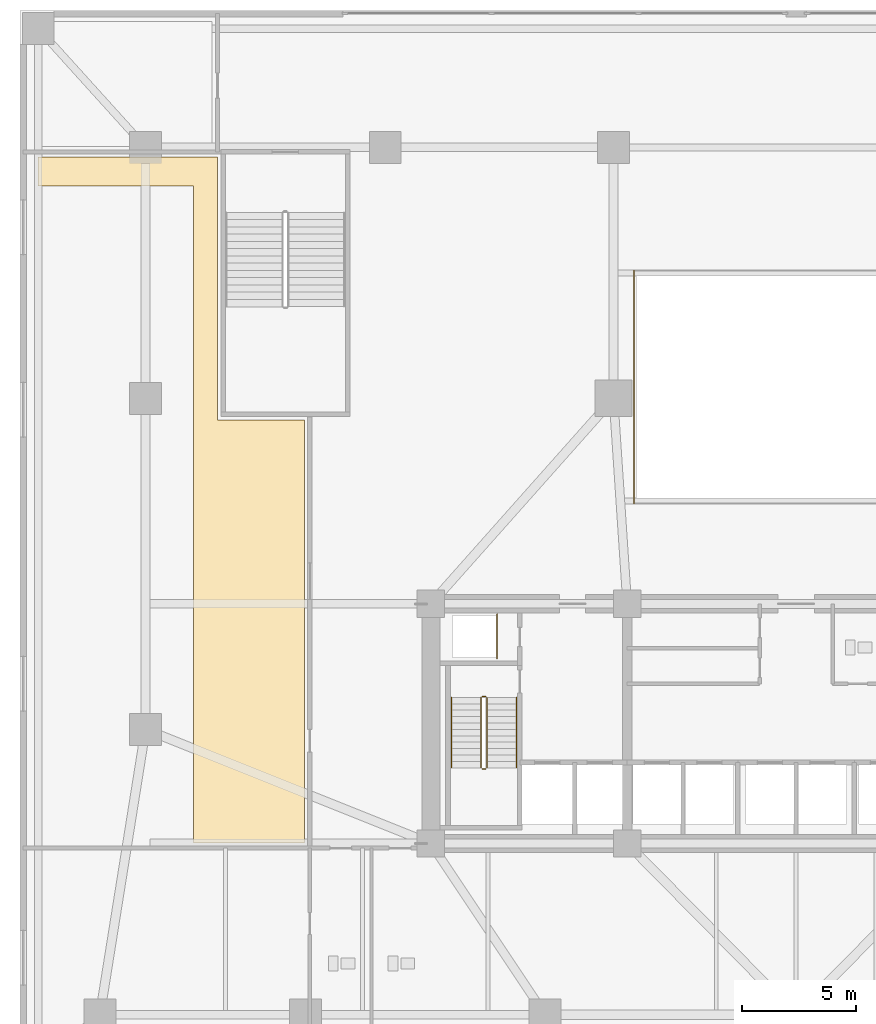
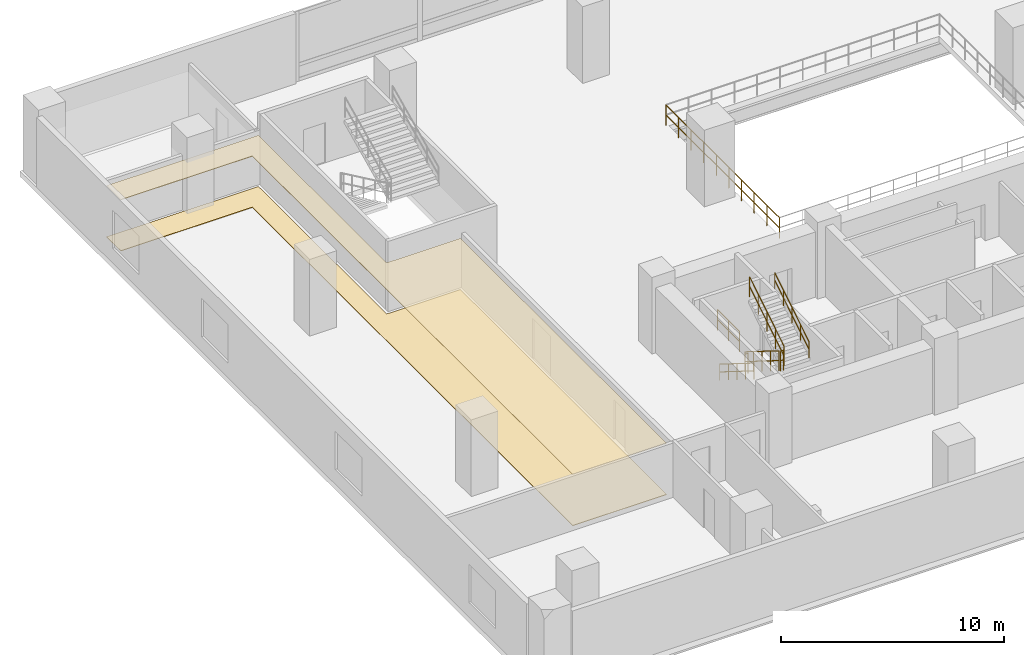
# One storey, part 10 of 15: 8 railings, 2 coverings.
"""IFC4 building model written with IfcOpenShell, lengths in metres."""

from ifc_helpers import new_model, si_unit, direction, frame, origin, origin_2d, place, context, subcontext, project, spatial, polyline, circle, outline, extrude, material, layer, layer_set, type_object, element, save


model = new_model("IFC4")

# Units and contexts
model_context = context("Model", 3, precision=1e-05, world=origin(), true_north=direction((0.0, 1.0)))
body_context = subcontext(model_context, "Body", "Model", "MODEL_VIEW")
ifc_project = project(units=[si_unit("LENGTHUNIT", "METRE"), si_unit("AREAUNIT", "SQUARE_METRE"), si_unit("VOLUMEUNIT", "CUBIC_METRE"), si_unit("PLANEANGLEUNIT", "RADIAN"), si_unit("MASSUNIT", "GRAM", prefix="KILO")], contexts=[model_context])

# Site, building, storey
site_placement = place(None, origin())
site = spatial("IfcSite", under=ifc_project, at=site_placement, CompositionType="ELEMENT")
building_placement = place(site_placement, origin())
building = spatial("IfcBuilding", under=site, at=building_placement, Name="Solmavex Isthmus Hotel", CompositionType="ELEMENT")
storey_placement = place(building_placement, frame((0.0, 0.0, 16.199951171875)))
storey = spatial("IfcBuildingStorey", under=building, at=storey_placement, Name="L04", CompositionType="ELEMENT", Elevation=16.199951171875)

# Coverings
ifc_material_1 = material(Name="Gypsum plasterboard lining", Category="gypsum")
ifc_layer_1 = layer(ifc_material_1, 0.030029296875)
ifc_layer_set_1 = layer_set([ifc_layer_1], Name="Gypsum plasterboard lining")
covering_type_1 = type_object("IfcCoveringType", Name="COV-CEIL-GYP", PredefinedType="CEILING", material=ifc_layer_set_1)
covering_1_placement = place(storey_placement, frame((0.0, 0.0, 2.800048828125)))
element("IfcCovering", 1, at=covering_1_placement, inside=storey, type_object=covering_type_1, Name="Suspended Acoustic Ceiling L04-CF01", PredefinedType="CEILING", context=body_context, shape_type="SweptSolid", body=[
    extrude(outline(polyline([(-21.530029296875, 5.550048828125), (-25.35009765625, 5.550048828125), (-25.35009765625, 17.070068359375), (-33.219970703125, 17.070068359375), (-33.219970703125, 15.800048828125), (-26.39990234375, 15.800048828125), (-26.39990234375, -12.969970703125), (-21.530029296875, -12.969970703125), (-21.530029296875, 5.550048828125)])), origin(), (0.0, 0.0, 1.0), 0.030029296875),
])
ifc_material_2 = material(Name="Travertine natural stone", Category="masonry")
ifc_layer_2 = layer(ifc_material_2, 0.02490234375)
ifc_layer_set_2 = layer_set([ifc_layer_2], Name="Travertine natural stone")
covering_type_2 = type_object("IfcCoveringType", Name="COV-FLOR-STN", PredefinedType="FLOORING", material=ifc_layer_set_2)
covering_2_placement = place(storey_placement, origin())
element("IfcCovering", 2, at=covering_2_placement, inside=storey, type_object=covering_type_2, Name="Stone and Timber Floor Finish L04-CF01", PredefinedType="FLOORING", context=body_context, shape_type="SweptSolid", body=[
    extrude(outline(polyline([(-21.530029296875, 5.550048828125), (-25.35009765625, 5.550048828125), (-25.35009765625, 17.070068359375), (-33.219970703125, 17.070068359375), (-33.219970703125, 15.800048828125), (-26.39990234375, 15.800048828125), (-26.39990234375, -12.969970703125), (-21.530029296875, -12.969970703125), (-21.530029296875, 5.550048828125)])), origin(), (0.0, 0.0, 1.0), 0.025146484375),
])

# Railings
ifc_material_3 = material(Name="Clear low-E laminated glass", Category="glass")
ifc_layer_3 = layer(ifc_material_3, 0.080078125)
ifc_layer_set_3 = layer_set([ifc_layer_3], Name="Clear low-E laminated glass")
railing_type_1 = type_object("IfcRailingType", Name="RAIL-ATRIUM-1120", PredefinedType="BALUSTRADE", material=ifc_layer_set_3)
railing_1_placement = place(storey_placement, frame((-7.10009765625, 12.10009765625, 0.0)))
element("IfcRailing", 3, at=railing_1_placement, inside=storey, type_object=railing_type_1, Name="Guardrail Balustrade L04-ATRIUM-04", PredefinedType="BALUSTRADE", context=body_context, shape_type="SweptSolid", body=[
    extrude(circle(Radius=0.02392578125, at=origin_2d()), frame((0.0, 0.0, 1.1259765625), z_axis=(0.0, -1.0, 0.0), x_axis=(1.0, 0.0, 0.0)), (0.0, 0.0, 1.0), 10.2001953125),
    extrude(circle(Radius=0.02392578125, at=origin_2d()), frame((0.0, 0.0, 0.574951171875), z_axis=(0.0, -1.0, 0.0), x_axis=(1.0, 0.0, 0.0)), (0.0, 0.0, 1.0), 10.2001953125),
    extrude(circle(Radius=0.02099609375, at=origin_2d()), origin(), (0.0, 0.0, 1.0), 1.101806640625),
    extrude(circle(Radius=0.02099609375, at=origin_2d()), frame((0.0, -1.13330078125, 0.0)), (0.0, 0.0, 1.0), 1.101806640625),
    extrude(circle(Radius=0.02099609375, at=origin_2d()), frame((0.0, -2.2666015625, 0.0)), (0.0, 0.0, 1.0), 1.101806640625),
    extrude(circle(Radius=0.02099609375, at=origin_2d()), frame((0.0, -3.400146484375, 0.0)), (0.0, 0.0, 1.0), 1.101806640625),
    extrude(circle(Radius=0.02099609375, at=origin_2d()), frame((0.0, -4.533447265625, 0.0)), (0.0, 0.0, 1.0), 1.101806640625),
    extrude(circle(Radius=0.02099609375, at=origin_2d()), frame((0.0, -5.666748046875, 0.0)), (0.0, 0.0, 1.0), 1.101806640625),
    extrude(circle(Radius=0.02099609375, at=origin_2d()), frame((0.0, -6.800048828125, 0.0)), (0.0, 0.0, 1.0), 1.101806640625),
    extrude(circle(Radius=0.02099609375, at=origin_2d()), frame((0.0, -7.93359375, 0.0)), (0.0, 0.0, 1.0), 1.101806640625),
    extrude(circle(Radius=0.02099609375, at=origin_2d()), frame((0.0, -9.06689453125, 0.0)), (0.0, 0.0, 1.0), 1.101806640625),
    extrude(circle(Radius=0.02099609375, at=origin_2d()), frame((0.0, -10.2001953125, 0.0)), (0.0, 0.0, 1.0), 1.101806640625),
])
railing_2_placement = place(storey_placement, frame((-13.10009765625, -4.89990234375, 0.0)))
element("IfcRailing", 4, at=railing_2_placement, inside=storey, type_object=railing_type_1, Name="Guardrail Balustrade L04-RSW-01", PredefinedType="BALUSTRADE", context=body_context, shape_type="SweptSolid", body=[
    extrude(circle(Radius=0.02392578125, at=origin_2d()), frame((0.0, 0.0, 1.1259765625), z_axis=(0.0, 1.0, 0.0), x_axis=(-1.0, 0.0, 0.0)), (0.0, 0.0, 1.0), 1.949951171875),
    extrude(circle(Radius=0.02392578125, at=origin_2d()), frame((0.0, 0.0, 0.574951171875), z_axis=(0.0, 1.0, 0.0), x_axis=(-1.0, 0.0, 0.0)), (0.0, 0.0, 1.0), 1.949951171875),
    extrude(circle(Radius=0.02099609375, at=origin_2d()), origin(), (0.0, 0.0, 1.0), 1.101806640625),
    extrude(circle(Radius=0.02099609375, at=origin_2d()), frame((0.0, 0.97509765625, 0.0)), (0.0, 0.0, 1.0), 1.101806640625),
    extrude(circle(Radius=0.02099609375, at=origin_2d()), frame((0.0, 1.949951171875, 0.0)), (0.0, 0.0, 1.0), 1.101806640625),
])
ifc_material_4 = material(Name="Stainless steel 316", Category="steel")
ifc_layer_4 = layer(ifc_material_4, 0.06005859375)
ifc_layer_set_4 = layer_set([ifc_layer_4], Name="Stainless steel 316")
railing_type_2 = type_object("IfcRailingType", Name="RAIL-STAIR-GD", PredefinedType="GUARDRAIL", material=ifc_layer_set_4)
railing_3_placement = place(storey_placement, frame((-13.800048828125, -6.60009765625, 0.175048828125)))
element("IfcRailing", 5, at=railing_3_placement, inside=storey, type_object=railing_type_2, Name="L04 ST-1 stair guard 1", PredefinedType="GUARDRAIL", context=body_context, shape_type="SweptSolid", body=[
    extrude(circle(Radius=0.02392578125, at=origin_2d()), frame((0.0, 0.0, 1.09619140625), z_axis=(0.0, -0.847979421464, 0.530029150871), x_axis=(1.0, 0.0, 0.0)), (0.0, 0.0, 1.0), 3.632080078125),
    extrude(circle(Radius=0.02392578125, at=origin_2d()), frame((0.0, 0.0, 0.56005859375), z_axis=(0.0, -0.847979421464, 0.530029150871), x_axis=(1.0, 0.0, 0.0)), (0.0, 0.0, 1.0), 3.632080078125),
    extrude(circle(Radius=0.02099609375, at=origin_2d()), origin(), (0.0, 0.0, 1.0), 1.072021484375),
    extrude(circle(Radius=0.02099609375, at=origin_2d()), frame((0.0, -0.77001953125, 0.481201171875)), (0.0, 0.0, 1.0), 1.072021484375),
    extrude(circle(Radius=0.02099609375, at=origin_2d()), frame((0.0, -1.5400390625, 0.96240234375)), (0.0, 0.0, 1.0), 1.072021484375),
    extrude(circle(Radius=0.02099609375, at=origin_2d()), frame((0.0, -2.309814453125, 1.44384765625)), (0.0, 0.0, 1.0), 1.072021484375),
    extrude(circle(Radius=0.02099609375, at=origin_2d()), frame((0.0, -3.079833984375, 1.925048828125)), (0.0, 0.0, 1.0), 1.072021484375),
])
railing_4_placement = place(storey_placement, frame((-13.75, -9.72998046875, 2.10009765625)))
element("IfcRailing", 6, at=railing_4_placement, inside=storey, type_object=railing_type_2, Name="L04 ST-1 stair guard 2", PredefinedType="GUARDRAIL", context=body_context, shape_type="SweptSolid", body=[
    extrude(circle(Radius=0.02392578125, at=origin_2d()), frame((0.0, 0.0, 1.09619140625), z_axis=(1.0, 0.0, 0.0), x_axis=(0.0, 1.0, 0.0)), (0.0, 0.0, 1.0), 0.14990234375),
    extrude(circle(Radius=0.02392578125, at=origin_2d()), frame((0.0, 0.0, 0.56005859375), z_axis=(1.0, 0.0, 0.0), x_axis=(0.0, 1.0, 0.0)), (0.0, 0.0, 1.0), 0.14990234375),
    extrude(circle(Radius=0.02099609375, at=origin_2d()), origin(), (0.0, 0.0, 1.0), 1.072021484375),
    extrude(circle(Radius=0.02099609375, at=origin_2d()), frame((0.14990234375, 0.0, 0.0)), (0.0, 0.0, 1.0), 1.072021484375),
])
railing_5_placement = place(storey_placement, frame((-13.550048828125, -9.679931640625, 2.275146484375)))
element("IfcRailing", 7, at=railing_5_placement, inside=storey, type_object=railing_type_2, Name="L04 ST-1 stair guard 3", PredefinedType="GUARDRAIL", context=body_context, shape_type="SweptSolid", body=[
    extrude(circle(Radius=0.02392578125, at=origin_2d()), frame((0.0, 0.0, 1.09619140625), z_axis=(0.0, 0.848009633417, 0.529980812513), x_axis=(-1.0, 0.0, 0.0)), (0.0, 0.0, 1.0), 3.6318359375),
    extrude(circle(Radius=0.02392578125, at=origin_2d()), frame((0.0, 0.0, 0.56005859375), z_axis=(0.0, 0.848009633417, 0.529980812513), x_axis=(-1.0, 0.0, 0.0)), (0.0, 0.0, 1.0), 3.6318359375),
    extrude(circle(Radius=0.02099609375, at=origin_2d()), origin(), (0.0, 0.0, 1.0), 1.072021484375),
    extrude(circle(Radius=0.02099609375, at=origin_2d()), frame((0.0, 0.77001953125, 0.481201171875)), (0.0, 0.0, 1.0), 1.072021484375),
    extrude(circle(Radius=0.02099609375, at=origin_2d()), frame((0.0, 1.5400390625, 0.96240234375)), (0.0, 0.0, 1.0), 1.072021484375),
    extrude(circle(Radius=0.02099609375, at=origin_2d()), frame((0.0, 2.309814453125, 1.443603515625)), (0.0, 0.0, 1.0), 1.072021484375),
    extrude(circle(Radius=0.02099609375, at=origin_2d()), frame((0.0, 3.079833984375, 1.9248046875)), (0.0, 0.0, 1.0), 1.072021484375),
])
railing_6_placement = place(storey_placement, frame((-13.75, -6.550048828125, 0.0)))
element("IfcRailing", 8, at=railing_6_placement, inside=storey, type_object=railing_type_2, Name="L04 ST-1 stair guard 4", PredefinedType="GUARDRAIL", context=body_context, shape_type="SweptSolid", body=[
    extrude(circle(Radius=0.02392578125, at=origin_2d()), frame((0.0, 0.0, 1.09619140625), z_axis=(1.0, 0.0, 0.0), x_axis=(0.0, 1.0, 0.0)), (0.0, 0.0, 1.0), 0.14990234375),
    extrude(circle(Radius=0.02392578125, at=origin_2d()), frame((0.0, 0.0, 0.56005859375), z_axis=(1.0, 0.0, 0.0), x_axis=(0.0, 1.0, 0.0)), (0.0, 0.0, 1.0), 0.14990234375),
    extrude(circle(Radius=0.02099609375, at=origin_2d()), origin(), (0.0, 0.0, 1.0), 1.072021484375),
    extrude(circle(Radius=0.02099609375, at=origin_2d()), frame((0.14990234375, 0.0, 0.0)), (0.0, 0.0, 1.0), 1.072021484375),
])
ifc_layer_5 = layer(ifc_material_4, 0.050048828125)
ifc_layer_set_5 = layer_set([ifc_layer_5], Name="Stainless steel 316")
railing_type_3 = type_object("IfcRailingType", Name="RAIL-STAIR-HR", PredefinedType="HANDRAIL", material=ifc_layer_set_5)
railing_7_placement = place(storey_placement, frame((-15.10009765625, -6.60009765625, 0.175048828125)))
element("IfcRailing", 9, at=railing_7_placement, inside=storey, type_object=railing_type_3, Name="L04 ST-1 stair handrail 1", PredefinedType="HANDRAIL", context=body_context, shape_type="SweptSolid", body=[
    extrude(circle(Radius=0.02392578125, at=origin_2d()), frame((0.0, 0.0, 0.8759765625), z_axis=(0.0, -0.847979421464, 0.530029150871), x_axis=(1.0, 0.0, 0.0)), (0.0, 0.0, 1.0), 3.632080078125),
    extrude(circle(Radius=0.02392578125, at=origin_2d()), frame((0.0, 0.0, 0.449951171875), z_axis=(0.0, -0.847979421464, 0.530029150871), x_axis=(1.0, 0.0, 0.0)), (0.0, 0.0, 1.0), 3.632080078125),
    extrude(circle(Radius=0.02099609375, at=origin_2d()), origin(), (0.0, 0.0, 1.0), 0.851806640625),
    extrude(circle(Radius=0.02099609375, at=origin_2d()), frame((0.0, -0.77001953125, 0.481201171875)), (0.0, 0.0, 1.0), 0.851806640625),
    extrude(circle(Radius=0.02099609375, at=origin_2d()), frame((0.0, -1.5400390625, 0.96240234375)), (0.0, 0.0, 1.0), 0.851806640625),
    extrude(circle(Radius=0.02099609375, at=origin_2d()), frame((0.0, -2.309814453125, 1.44384765625)), (0.0, 0.0, 1.0), 0.851806640625),
    extrude(circle(Radius=0.02099609375, at=origin_2d()), frame((0.0, -3.079833984375, 1.925048828125)), (0.0, 0.0, 1.0), 0.851806640625),
])
railing_8_placement = place(storey_placement, frame((-12.25, -9.679931640625, 2.275146484375)))
element("IfcRailing", 10, at=railing_8_placement, inside=storey, type_object=railing_type_3, Name="L04 ST-1 stair handrail 2", PredefinedType="HANDRAIL", context=body_context, shape_type="SweptSolid", body=[
    extrude(circle(Radius=0.02392578125, at=origin_2d()), frame((0.0, 0.0, 0.8759765625), z_axis=(0.0, 0.848009633417, 0.529980812513), x_axis=(-1.0, 0.0, 0.0)), (0.0, 0.0, 1.0), 3.6318359375),
    extrude(circle(Radius=0.02392578125, at=origin_2d()), frame((0.0, 0.0, 0.449951171875), z_axis=(0.0, 0.848009633417, 0.529980812513), x_axis=(-1.0, 0.0, 0.0)), (0.0, 0.0, 1.0), 3.6318359375),
    extrude(circle(Radius=0.02099609375, at=origin_2d()), origin(), (0.0, 0.0, 1.0), 0.851806640625),
    extrude(circle(Radius=0.02099609375, at=origin_2d()), frame((0.0, 0.77001953125, 0.481201171875)), (0.0, 0.0, 1.0), 0.851806640625),
    extrude(circle(Radius=0.02099609375, at=origin_2d()), frame((0.0, 1.5400390625, 0.96240234375)), (0.0, 0.0, 1.0), 0.851806640625),
    extrude(circle(Radius=0.02099609375, at=origin_2d()), frame((0.0, 2.309814453125, 1.443603515625)), (0.0, 0.0, 1.0), 0.851806640625),
    extrude(circle(Radius=0.02099609375, at=origin_2d()), frame((0.0, 3.079833984375, 1.9248046875)), (0.0, 0.0, 1.0), 0.851806640625),
])

save(model, "model.ifc")
